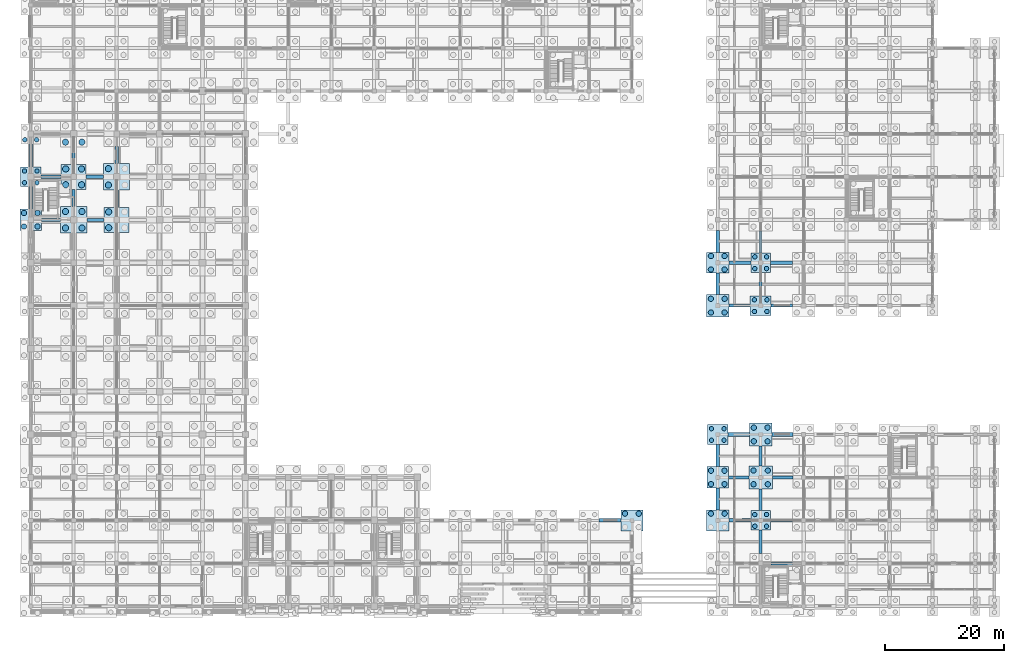
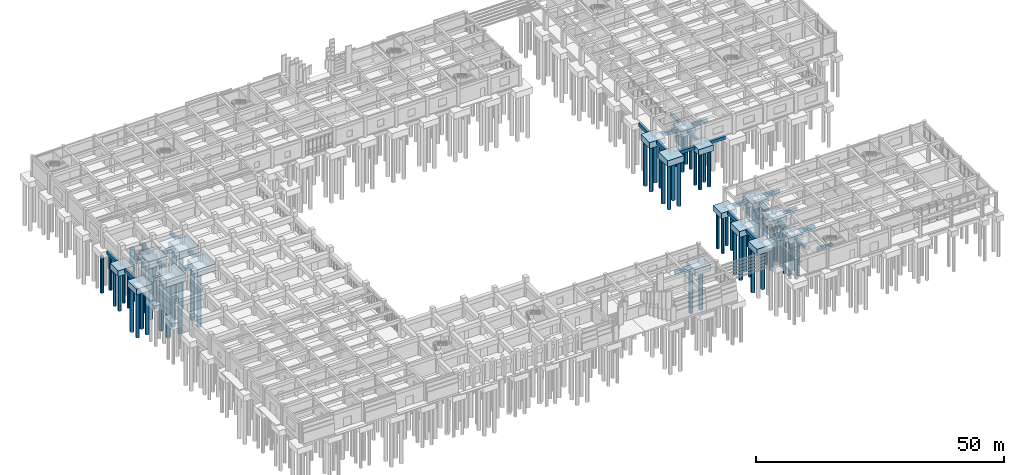
# One storey, part 6 of 79: 64 piles, 48 footings.
"""IFC4 building model written with IfcOpenShell, lengths in metres."""

from ifc_helpers import new_model, si_unit, direction, frame, origin, origin_2d, place, context, subcontext, project, spatial, polyline, rectangle, circle, outline, extrude, material, material_profile, profile_set, type_object, element, save


model = new_model("IFC4")

# Units and contexts
model_context = context("Model", 3, precision=1e-05, world=origin(), true_north=direction((0.0, 1.0)))
body_context = subcontext(model_context, "Body", "Model", "MODEL_VIEW")
ifc_project = project(units=[si_unit("LENGTHUNIT", "METRE"), si_unit("AREAUNIT", "SQUARE_METRE"), si_unit("VOLUMEUNIT", "CUBIC_METRE"), si_unit("PLANEANGLEUNIT", "RADIAN"), si_unit("MASSUNIT", "GRAM", prefix="KILO")], contexts=[model_context])

# Site, building, storey
site_placement = place(None, origin())
site = spatial("IfcSite", under=ifc_project, at=site_placement, CompositionType="ELEMENT")
building_placement = place(site_placement, origin())
building = spatial("IfcBuilding", under=site, at=building_placement, Name="Kavelor Marine Aquarium", CompositionType="ELEMENT")
storey_placement = place(building_placement, origin())
storey = spatial("IfcBuildingStorey", under=building, at=storey_placement, Name="L00", CompositionType="ELEMENT", Elevation=0.0)

# Footings
ifc_material_1 = material(Name="Concrete C40/50", Category="concrete")
footing_type_1 = type_object("IfcFootingType", Name="CAP-PC01", PredefinedType="PILE_CAP", material=ifc_material_1)
footing_1_placement = place(storey_placement, frame((0.0, 0.0, -2.0)))
element("IfcFooting", 1, at=footing_1_placement, inside=storey, type_object=footing_type_1, Name="Pile Cap PC01 (2-J)", PredefinedType="PILE_CAP", context=body_context, shape_type="SweptSolid", body=[
    extrude(outline(polyline([(8.199951171875, 65.39990234375), (12.60009765625, 65.39990234375), (12.60009765625, 69.800048828125), (8.199951171875, 69.800048828125), (8.199951171875, 65.39990234375)])), origin(), (0.0, 0.0, 1.0), 1.64990234375),
])
footing_2_placement = place(storey_placement, frame((0.0, 0.0, -2.0)))
element("IfcFooting", 2, at=footing_2_placement, inside=storey, type_object=footing_type_1, Name="Pile Cap PC01 (3-K)", PredefinedType="PILE_CAP", context=body_context, shape_type="SweptSolid", body=[
    extrude(outline(polyline([(15.39990234375, 72.60009765625), (19.800048828125, 72.60009765625), (19.800048828125, 77.0), (15.39990234375, 77.0), (15.39990234375, 72.60009765625)])), origin(), (0.0, 0.0, 1.0), 1.64990234375),
])
ifc_material_2 = material(Name="Concrete C40/50", Category="concrete")
footing_type_2 = type_object("IfcFootingType", Name="CAP-PC02", PredefinedType="PILE_CAP", material=ifc_material_2)
footing_3_placement = place(storey_placement, frame((0.0, 0.0, -1.949951171875)))
element("IfcFooting", 3, at=footing_3_placement, inside=storey, type_object=footing_type_2, Name="Pile Cap PC02 (2-K)", PredefinedType="PILE_CAP", context=body_context, shape_type="SweptSolid", body=[
    extrude(outline(polyline([(8.300048828125, 72.699951171875), (12.5, 72.699951171875), (12.5, 76.89990234375), (8.300048828125, 76.89990234375), (8.300048828125, 72.699951171875)])), origin(), (0.0, 0.0, 1.0), 1.599853515625),
])
footing_4_placement = place(storey_placement, frame((0.0, 0.0, -1.949951171875)))
element("IfcFooting", 4, at=footing_4_placement, inside=storey, type_object=footing_type_2, Name="Pile Cap PC02 (3-J)", PredefinedType="PILE_CAP", context=body_context, shape_type="SweptSolid", body=[
    extrude(outline(polyline([(15.5, 65.5), (19.699951171875, 65.5), (19.699951171875, 69.699951171875), (15.5, 69.699951171875), (15.5, 65.5)])), origin(), (0.0, 0.0, 1.0), 1.599853515625),
])
ifc_material_3 = material(Name="Concrete C40/50", Category="concrete")
footing_type_3 = type_object("IfcFootingType", Name="CAP-PC03", PredefinedType="PILE_CAP", material=ifc_material_3)
footing_5_placement = place(storey_placement, frame((0.0, 0.0, -1.89990234375)))
element("IfcFooting", 5, at=footing_5_placement, inside=storey, type_object=footing_type_3, Name="Pile Cap PC03 (18-D)", PredefinedType="PILE_CAP", context=body_context, shape_type="SweptSolid", body=[
    extrude(outline(polyline([(123.60009765625, 22.5), (127.60009765625, 22.5), (127.60009765625, 26.300048828125), (123.60009765625, 26.300048828125), (123.60009765625, 22.5)])), origin(), (0.0, 0.0, 1.0), 1.5498046875),
])
ifc_material_4 = material(Name="Concrete C40/50", Category="concrete")
footing_type_4 = type_object("IfcFootingType", Name="CAP-PC04", PredefinedType="PILE_CAP", material=ifc_material_4)
footing_6_placement = place(storey_placement, frame((0.0, 0.0, -1.85009765625)))
element("IfcFooting", 6, at=footing_6_placement, inside=storey, type_object=footing_type_4, Name="Pile Cap PC04 (17-H)", PredefinedType="PILE_CAP", context=body_context, shape_type="SweptSolid", body=[
    extrude(outline(polyline([(116.5, 51.300048828125), (120.300048828125, 51.300048828125), (120.300048828125, 55.10009765625), (116.5, 55.10009765625), (116.5, 51.300048828125)])), origin(), (0.0, 0.0, 1.0), 1.5),
])
footing_7_placement = place(storey_placement, frame((0.0, 0.0, -1.85009765625)))
element("IfcFooting", 7, at=footing_7_placement, inside=storey, type_object=footing_type_4, Name="Pile Cap PC04 (18-E)", PredefinedType="PILE_CAP", context=body_context, shape_type="SweptSolid", body=[
    extrude(outline(polyline([(123.699951171875, 29.699951171875), (127.5, 29.699951171875), (127.5, 33.5), (123.699951171875, 33.5), (123.699951171875, 29.699951171875)])), origin(), (0.0, 0.0, 1.0), 1.5),
])
ifc_material_5 = material(Name="Concrete C40/50", Category="concrete")
footing_type_5 = type_object("IfcFootingType", Name="CAP-PC05", PredefinedType="PILE_CAP", material=ifc_material_5)
footing_8_placement = place(storey_placement, frame((0.0, 0.0, -1.85009765625)))
element("IfcFooting", 8, at=footing_8_placement, inside=storey, type_object=footing_type_5, Name="Pile Cap PC05 (15-C)", PredefinedType="PILE_CAP", context=body_context, shape_type="SweptSolid", body=[
    extrude(outline(polyline([(102.14990234375, 15.449951171875), (105.85009765625, 15.449951171875), (105.85009765625, 18.949951171875), (102.14990234375, 18.949951171875), (102.14990234375, 15.449951171875)])), origin(), (0.0, 0.0, 1.0), 1.5),
])
footing_9_placement = place(storey_placement, frame((0.0, 0.0, -1.85009765625)))
element("IfcFooting", 9, at=footing_9_placement, inside=storey, type_object=footing_type_5, Name="Pile Cap PC05 (17-C)", PredefinedType="PILE_CAP", context=body_context, shape_type="SweptSolid", body=[
    extrude(outline(polyline([(116.550048828125, 15.449951171875), (120.25, 15.449951171875), (120.25, 18.949951171875), (116.550048828125, 18.949951171875), (116.550048828125, 15.449951171875)])), origin(), (0.0, 0.0, 1.0), 1.5),
])
footing_10_placement = place(storey_placement, frame((0.0, 0.0, -1.85009765625)))
element("IfcFooting", 10, at=footing_10_placement, inside=storey, type_object=footing_type_5, Name="Pile Cap PC05 (17-I)", PredefinedType="PILE_CAP", context=body_context, shape_type="SweptSolid", body=[
    extrude(outline(polyline([(116.550048828125, 58.64990234375), (120.25, 58.64990234375), (120.25, 62.14990234375), (116.550048828125, 62.14990234375), (116.550048828125, 58.64990234375)])), origin(), (0.0, 0.0, 1.0), 1.5),
])
ifc_material_6 = material(Name="Concrete C40/50", Category="concrete")
footing_type_6 = type_object("IfcFootingType", Name="CAP-PC06", PredefinedType="PILE_CAP", material=ifc_material_6)
footing_11_placement = place(storey_placement, frame((0.0, 0.0, -1.800048828125)))
element("IfcFooting", 11, at=footing_11_placement, inside=storey, type_object=footing_type_6, Name="Pile Cap PC06 (1-J)", PredefinedType="PILE_CAP", context=body_context, shape_type="SweptSolid", body=[
    extrude(outline(polyline([(1.39990234375, 65.800048828125), (5.0, 65.800048828125), (5.0, 69.39990234375), (1.39990234375, 69.39990234375), (1.39990234375, 65.800048828125)])), origin(), (0.0, 0.0, 1.0), 1.449951171875),
])
footing_12_placement = place(storey_placement, frame((0.0, 0.0, -1.800048828125)))
element("IfcFooting", 12, at=footing_12_placement, inside=storey, type_object=footing_type_6, Name="Pile Cap PC06 (17-D)", PredefinedType="PILE_CAP", context=body_context, shape_type="SweptSolid", body=[
    extrude(outline(polyline([(116.60009765625, 22.60009765625), (120.199951171875, 22.60009765625), (120.199951171875, 26.199951171875), (116.60009765625, 26.199951171875), (116.60009765625, 22.60009765625)])), origin(), (0.0, 0.0, 1.0), 1.449951171875),
])
ifc_material_7 = material(Name="Concrete C40/50", Category="concrete")
footing_type_7 = type_object("IfcFootingType", Name="CAP-PC07", PredefinedType="PILE_CAP", material=ifc_material_7)
footing_13_placement = place(storey_placement, frame((0.0, 0.0, -1.75)))
element("IfcFooting", 13, at=footing_13_placement, inside=storey, type_object=footing_type_7, Name="Pile Cap PC07 (1-K)", PredefinedType="PILE_CAP", context=body_context, shape_type="SweptSolid", body=[
    extrude(outline(polyline([(1.449951171875, 73.14990234375), (4.949951171875, 73.14990234375), (4.949951171875, 76.449951171875), (1.449951171875, 76.449951171875), (1.449951171875, 73.14990234375)])), origin(), (0.0, 0.0, 1.0), 1.39990234375),
])
footing_14_placement = place(storey_placement, frame((0.0, 0.0, -1.75)))
element("IfcFooting", 14, at=footing_14_placement, inside=storey, type_object=footing_type_7, Name="Pile Cap PC07 (17-E)", PredefinedType="PILE_CAP", context=body_context, shape_type="SweptSolid", body=[
    extrude(outline(polyline([(116.64990234375, 29.949951171875), (120.14990234375, 29.949951171875), (120.14990234375, 33.25), (116.64990234375, 33.25), (116.64990234375, 29.949951171875)])), origin(), (0.0, 0.0, 1.0), 1.39990234375),
])
footing_15_placement = place(storey_placement, frame((0.0, 0.0, -1.75)))
element("IfcFooting", 15, at=footing_15_placement, inside=storey, type_object=footing_type_7, Name="Pile Cap PC07 (18-H)", PredefinedType="PILE_CAP", context=body_context, shape_type="SweptSolid", body=[
    extrude(outline(polyline([(123.85009765625, 51.550048828125), (127.35009765625, 51.550048828125), (127.35009765625, 54.85009765625), (123.85009765625, 54.85009765625), (123.85009765625, 51.550048828125)])), origin(), (0.0, 0.0, 1.0), 1.39990234375),
])
ifc_material_8 = material(Name="Concrete C40/50", Category="concrete")
footing_type_8 = type_object("IfcFootingType", Name="CAP-PC08", PredefinedType="PILE_CAP", material=ifc_material_8)
footing_16_placement = place(storey_placement, frame((0.0, 0.0, -1.75)))
element("IfcFooting", 16, at=footing_16_placement, inside=storey, type_object=footing_type_8, Name="Pile Cap PC08 (18-C)", PredefinedType="PILE_CAP", context=body_context, shape_type="SweptSolid", body=[
    extrude(outline(polyline([(123.949951171875, 15.550048828125), (127.25, 15.550048828125), (127.25, 18.85009765625), (123.949951171875, 18.85009765625), (123.949951171875, 15.550048828125)])), origin(), (0.0, 0.0, 1.0), 1.39990234375),
])
footing_17_placement = place(storey_placement, frame((0.0, 0.0, -1.75)))
element("IfcFooting", 17, at=footing_17_placement, inside=storey, type_object=footing_type_8, Name="Pile Cap PC08 (18-I)", PredefinedType="PILE_CAP", context=body_context, shape_type="SweptSolid", body=[
    extrude(outline(polyline([(123.949951171875, 58.75), (127.25, 58.75), (127.25, 62.050048828125), (123.949951171875, 62.050048828125), (123.949951171875, 58.75)])), origin(), (0.0, 0.0, 1.0), 1.39990234375),
])
ifc_material_9 = material(Name="Concrete C40/50", Category="concrete")
ifc_material_profile_1 = material_profile(ifc_material_9, rectangle(XDim=0.60009765625, YDim=0.800048828125, at=origin_2d()), Name="GB 600x800")
ifc_profile_set_1 = profile_set([ifc_material_profile_1], Name="Concrete C40/50")
footing_type_9 = type_object("IfcFootingType", Name="FTB-GB1", PredefinedType="FOOTING_BEAM", material=ifc_profile_set_1)
footing_18_placement = place(storey_placement, frame((3.199951171875, 69.39990234375, -0.75), z_axis=(0.0, 1.0, 0.0), x_axis=(-1.0, 0.0, 0.0)))
element("IfcFooting", 18, at=footing_18_placement, inside=storey, type_object=footing_type_9, Name="ftb:y:00_09", PredefinedType="FOOTING_BEAM", context=body_context, shape_type="SweptSolid", body=[
    extrude(rectangle(XDim=0.60009765625, YDim=0.800048828125, at=origin_2d()), origin(), (0.0, 0.0, 1.0), 3.75),
])
footing_19_placement = place(storey_placement, frame((4.949951171875, 74.800048828125, -0.75), z_axis=(1.0, 0.0, 0.0), x_axis=(0.0, 1.0, 0.0)))
element("IfcFooting", 19, at=footing_19_placement, inside=storey, type_object=footing_type_9, Name="ftb:x:00_10", PredefinedType="FOOTING_BEAM", context=body_context, shape_type="SweptSolid", body=[
    extrude(rectangle(XDim=0.60009765625, YDim=0.800048828125, at=origin_2d()), origin(), (0.0, 0.0, 1.0), 3.35009765625),
])
footing_20_placement = place(storey_placement, frame((3.199951171875, 76.449951171875, -0.75), z_axis=(0.0, 1.0, 0.0), x_axis=(-1.0, 0.0, 0.0)))
element("IfcFooting", 20, at=footing_20_placement, inside=storey, type_object=footing_type_9, Name="ftb:y:00_10", PredefinedType="FOOTING_BEAM", context=body_context, shape_type="SweptSolid", body=[
    extrude(rectangle(XDim=0.60009765625, YDim=0.800048828125, at=origin_2d()), origin(), (0.0, 0.0, 1.0), 3.900146484375),
])
footing_21_placement = place(storey_placement, frame((12.5, 74.800048828125, -0.75), z_axis=(1.0, 0.0, 0.0), x_axis=(0.0, 1.0, 0.0)))
element("IfcFooting", 21, at=footing_21_placement, inside=storey, type_object=footing_type_9, Name="ftb:x:01_10", PredefinedType="FOOTING_BEAM", context=body_context, shape_type="SweptSolid", body=[
    extrude(rectangle(XDim=0.60009765625, YDim=0.800048828125, at=origin_2d()), origin(), (0.0, 0.0, 1.0), 2.89990234375),
])
footing_22_placement = place(storey_placement, frame((17.60009765625, 69.699951171875, -0.75), z_axis=(0.0, 1.0, 0.0), x_axis=(-1.0, 0.0, 0.0)))
element("IfcFooting", 22, at=footing_22_placement, inside=storey, type_object=footing_type_9, Name="ftb:y:02_09", PredefinedType="FOOTING_BEAM", context=body_context, shape_type="SweptSolid", body=[
    extrude(rectangle(XDim=0.60009765625, YDim=0.800048828125, at=origin_2d()), origin(), (0.0, 0.0, 1.0), 2.900146484375),
])
footing_23_placement = place(storey_placement, frame((17.60009765625, 77.0, -0.75), z_axis=(0.0, 1.0, 0.0), x_axis=(-1.0, 0.0, 0.0)))
element("IfcFooting", 23, at=footing_23_placement, inside=storey, type_object=footing_type_9, Name="ftb:y:02_10", PredefinedType="FOOTING_BEAM", context=body_context, shape_type="SweptSolid", body=[
    extrude(rectangle(XDim=0.60009765625, YDim=0.800048828125, at=origin_2d()), origin(), (0.0, 0.0, 1.0), 2.89990234375),
])
for number, where, z_axis, x_axis, name in (
    (24, (98.449951171875, 17.199951171875, -0.75), (1.0, 0.0, 0.0), (0.0, 1.0, 0.0), "ftb:x:13_02"),
    (25, (120.25, 17.199951171875, -0.75), (1.0, 0.0, 0.0), (0.0, 1.0, 0.0), "ftb:x:16_02"),
):
    element("IfcFooting", number, at=place(storey_placement, frame(where, z_axis=z_axis, x_axis=x_axis)), inside=storey, type_object=footing_type_9, Name=name, PredefinedType="FOOTING_BEAM", context=body_context, shape_type="SweptSolid", body=[
        extrude(rectangle(XDim=0.60009765625, YDim=0.800048828125, at=origin_2d()), origin(), (0.0, 0.0, 1.0), 3.699951171875),
    ])
footing_24_placement = place(storey_placement, frame((118.39990234375, 18.949951171875, -0.75), z_axis=(0.0, 1.0, 0.0), x_axis=(-1.0, 0.0, 0.0)))
element("IfcFooting", 26, at=footing_24_placement, inside=storey, type_object=footing_type_9, Name="ftb:y:16_02", PredefinedType="FOOTING_BEAM", context=body_context, shape_type="SweptSolid", body=[
    extrude(rectangle(XDim=0.60009765625, YDim=0.800048828125, at=origin_2d()), origin(), (0.0, 0.0, 1.0), 3.650146484375),
])
footing_25_placement = place(storey_placement, frame((118.39990234375, 26.199951171875, -0.75), z_axis=(0.0, 1.0, 0.0), x_axis=(-1.0, 0.0, 0.0)))
element("IfcFooting", 27, at=footing_25_placement, inside=storey, type_object=footing_type_9, Name="ftb:y:16_03", PredefinedType="FOOTING_BEAM", context=body_context, shape_type="SweptSolid", body=[
    extrude(rectangle(XDim=0.60009765625, YDim=0.800048828125, at=origin_2d()), origin(), (0.0, 0.0, 1.0), 3.75),
])
footing_26_placement = place(storey_placement, frame((120.14990234375, 31.60009765625, -0.75), z_axis=(1.0, 0.0, 0.0), x_axis=(0.0, 1.0, 0.0)))
element("IfcFooting", 28, at=footing_26_placement, inside=storey, type_object=footing_type_9, Name="ftb:x:16_04", PredefinedType="FOOTING_BEAM", context=body_context, shape_type="SweptSolid", body=[
    extrude(rectangle(XDim=0.60009765625, YDim=0.800048828125, at=origin_2d()), origin(), (0.0, 0.0, 1.0), 3.550048828125),
])
footing_27_placement = place(storey_placement, frame((118.39990234375, 55.10009765625, -0.75), z_axis=(0.0, 1.0, 0.0), x_axis=(-1.0, 0.0, 0.0)))
element("IfcFooting", 29, at=footing_27_placement, inside=storey, type_object=footing_type_9, Name="ftb:y:16_07", PredefinedType="FOOTING_BEAM", context=body_context, shape_type="SweptSolid", body=[
    extrude(rectangle(XDim=0.60009765625, YDim=0.800048828125, at=origin_2d()), origin(), (0.0, 0.0, 1.0), 3.5498046875),
])
footing_28_placement = place(storey_placement, frame((120.25, 60.39990234375, -0.75), z_axis=(1.0, 0.0, 0.0), x_axis=(0.0, 1.0, 0.0)))
element("IfcFooting", 30, at=footing_28_placement, inside=storey, type_object=footing_type_9, Name="ftb:x:16_08", PredefinedType="FOOTING_BEAM", context=body_context, shape_type="SweptSolid", body=[
    extrude(rectangle(XDim=0.60009765625, YDim=0.800048828125, at=origin_2d()), origin(), (0.0, 0.0, 1.0), 3.699951171875),
])
footing_29_placement = place(storey_placement, frame((118.39990234375, 62.14990234375, -0.75), z_axis=(0.0, 1.0, 0.0), x_axis=(-1.0, 0.0, 0.0)))
element("IfcFooting", 31, at=footing_29_placement, inside=storey, type_object=footing_type_9, Name="ftb:y:16_08", PredefinedType="FOOTING_BEAM", context=body_context, shape_type="SweptSolid", body=[
    extrude(rectangle(XDim=0.60009765625, YDim=0.800048828125, at=origin_2d()), origin(), (0.0, 0.0, 1.0), 3.650146484375),
])
footing_30_placement = place(storey_placement, frame((127.25, 17.199951171875, -0.75), z_axis=(1.0, 0.0, 0.0), x_axis=(0.0, 1.0, 0.0)))
element("IfcFooting", 32, at=footing_30_placement, inside=storey, type_object=footing_type_9, Name="ftb:x:17_02", PredefinedType="FOOTING_BEAM", context=body_context, shape_type="SweptSolid", body=[
    extrude(rectangle(XDim=0.60009765625, YDim=0.800048828125, at=origin_2d()), origin(), (0.0, 0.0, 1.0), 3.699951171875),
])
footing_31_placement = place(storey_placement, frame((127.5, 31.60009765625, -0.75), z_axis=(1.0, 0.0, 0.0), x_axis=(0.0, 1.0, 0.0)))
element("IfcFooting", 33, at=footing_31_placement, inside=storey, type_object=footing_type_9, Name="ftb:x:17_04", PredefinedType="FOOTING_BEAM", context=body_context, shape_type="SweptSolid", body=[
    extrude(rectangle(XDim=0.60009765625, YDim=0.800048828125, at=origin_2d()), origin(), (0.0, 0.0, 1.0), 3.550048828125),
])
footing_32_placement = place(storey_placement, frame((127.25, 60.39990234375, -0.75), z_axis=(1.0, 0.0, 0.0), x_axis=(0.0, 1.0, 0.0)))
element("IfcFooting", 34, at=footing_32_placement, inside=storey, type_object=footing_type_9, Name="ftb:x:17_08", PredefinedType="FOOTING_BEAM", context=body_context, shape_type="SweptSolid", body=[
    extrude(rectangle(XDim=0.60009765625, YDim=0.800048828125, at=origin_2d()), origin(), (0.0, 0.0, 1.0), 3.699951171875),
])
ifc_material_10 = material(Name="Concrete C40/50", Category="concrete")
ifc_material_profile_2 = material_profile(ifc_material_10, rectangle(XDim=0.5, YDim=0.699951171875, at=origin_2d()), Name="GB 500x700")
ifc_profile_set_2 = profile_set([ifc_material_profile_2], Name="Concrete C40/50")
footing_type_10 = type_object("IfcFootingType", Name="FTB-GB2", PredefinedType="FOOTING_BEAM", material=ifc_profile_set_2)
footing_33_placement = place(storey_placement, frame((5.0, 67.60009765625, -0.699951171875), z_axis=(1.0, 0.0, 0.0), x_axis=(0.0, 1.0, 0.0)))
element("IfcFooting", 35, at=footing_33_placement, inside=storey, type_object=footing_type_10, Name="ftb:x:00_09", PredefinedType="FOOTING_BEAM", context=body_context, shape_type="SweptSolid", body=[
    extrude(rectangle(XDim=0.5, YDim=0.699951171875, at=origin_2d()), origin(), (0.0, 0.0, 1.0), 3.199951171875),
])
for number, where, z_axis, x_axis, name in (
    (36, (12.60009765625, 67.60009765625, -0.699951171875), (1.0, 0.0, 0.0), (0.0, 1.0, 0.0), "ftb:x:01_09"),
    (37, (10.39990234375, 69.800048828125, -0.699951171875), (0.0, 1.0, 0.0), (-1.0, 0.0, 0.0), "ftb:y:01_09"),
):
    element("IfcFooting", number, at=place(storey_placement, frame(where, z_axis=z_axis, x_axis=x_axis)), inside=storey, type_object=footing_type_10, Name=name, PredefinedType="FOOTING_BEAM", context=body_context, shape_type="SweptSolid", body=[
        extrude(rectangle(XDim=0.5, YDim=0.699951171875, at=origin_2d()), origin(), (0.0, 0.0, 1.0), 2.89990234375),
    ])
footing_34_placement = place(storey_placement, frame((10.39990234375, 76.89990234375, -0.699951171875), z_axis=(0.0, 1.0, 0.0), x_axis=(-1.0, 0.0, 0.0)))
element("IfcFooting", 38, at=footing_34_placement, inside=storey, type_object=footing_type_10, Name="ftb:y:01_10", PredefinedType="FOOTING_BEAM", context=body_context, shape_type="SweptSolid", body=[
    extrude(rectangle(XDim=0.5, YDim=0.699951171875, at=origin_2d()), origin(), (0.0, 0.0, 1.0), 2.900146484375),
])
footing_35_placement = place(storey_placement, frame((120.199951171875, 24.39990234375, -0.699951171875), z_axis=(1.0, 0.0, 0.0), x_axis=(0.0, 1.0, 0.0)))
element("IfcFooting", 39, at=footing_35_placement, inside=storey, type_object=footing_type_10, Name="ftb:x:16_03", PredefinedType="FOOTING_BEAM", context=body_context, shape_type="SweptSolid", body=[
    extrude(rectangle(XDim=0.5, YDim=0.699951171875, at=origin_2d()), origin(), (0.0, 0.0, 1.0), 3.400146484375),
])
footing_36_placement = place(storey_placement, frame((120.300048828125, 53.199951171875, -0.699951171875), z_axis=(1.0, 0.0, 0.0), x_axis=(0.0, 1.0, 0.0)))
element("IfcFooting", 40, at=footing_36_placement, inside=storey, type_object=footing_type_10, Name="ftb:x:16_07", PredefinedType="FOOTING_BEAM", context=body_context, shape_type="SweptSolid", body=[
    extrude(rectangle(XDim=0.5, YDim=0.699951171875, at=origin_2d()), origin(), (0.0, 0.0, 1.0), 3.550048828125),
])
footing_37_placement = place(storey_placement, frame((127.35009765625, 10.0, -0.699951171875), z_axis=(1.0, 0.0, 0.0), x_axis=(0.0, 1.0, 0.0)))
element("IfcFooting", 41, at=footing_37_placement, inside=storey, type_object=footing_type_10, Name="ftb:x:17_01", PredefinedType="FOOTING_BEAM", context=body_context, shape_type="SweptSolid", body=[
    extrude(rectangle(XDim=0.5, YDim=0.699951171875, at=origin_2d()), origin(), (0.0, 0.0, 1.0), 3.5498046875),
])
footing_38_placement = place(storey_placement, frame((125.60009765625, 11.64990234375, -0.699951171875), z_axis=(0.0, 1.0, 0.0), x_axis=(-1.0, 0.0, 0.0)))
element("IfcFooting", 42, at=footing_38_placement, inside=storey, type_object=footing_type_10, Name="ftb:y:17_01", PredefinedType="FOOTING_BEAM", context=body_context, shape_type="SweptSolid", body=[
    extrude(rectangle(XDim=0.5, YDim=0.699951171875, at=origin_2d()), origin(), (0.0, 0.0, 1.0), 3.900146484375),
])
footing_39_placement = place(storey_placement, frame((125.60009765625, 18.85009765625, -0.699951171875), z_axis=(0.0, 1.0, 0.0), x_axis=(-1.0, 0.0, 0.0)))
element("IfcFooting", 43, at=footing_39_placement, inside=storey, type_object=footing_type_10, Name="ftb:y:17_02", PredefinedType="FOOTING_BEAM", context=body_context, shape_type="SweptSolid", body=[
    extrude(rectangle(XDim=0.5, YDim=0.699951171875, at=origin_2d()), origin(), (0.0, 0.0, 1.0), 3.64990234375),
])
for number, where, z_axis, x_axis, name in (
    (44, (127.60009765625, 24.39990234375, -0.699951171875), (1.0, 0.0, 0.0), (0.0, 1.0, 0.0), "ftb:x:17_03"),
    (45, (125.60009765625, 26.300048828125, -0.699951171875), (0.0, 1.0, 0.0), (-1.0, 0.0, 0.0), "ftb:y:17_03"),
):
    element("IfcFooting", number, at=place(storey_placement, frame(where, z_axis=z_axis, x_axis=x_axis)), inside=storey, type_object=footing_type_10, Name=name, PredefinedType="FOOTING_BEAM", context=body_context, shape_type="SweptSolid", body=[
        extrude(rectangle(XDim=0.5, YDim=0.699951171875, at=origin_2d()), origin(), (0.0, 0.0, 1.0), 3.39990234375),
    ])
footing_40_placement = place(storey_placement, frame((127.35009765625, 53.199951171875, -0.699951171875), z_axis=(1.0, 0.0, 0.0), x_axis=(0.0, 1.0, 0.0)))
element("IfcFooting", 46, at=footing_40_placement, inside=storey, type_object=footing_type_10, Name="ftb:x:17_07", PredefinedType="FOOTING_BEAM", context=body_context, shape_type="SweptSolid", body=[
    extrude(rectangle(XDim=0.5, YDim=0.699951171875, at=origin_2d()), origin(), (0.0, 0.0, 1.0), 3.5498046875),
])
footing_41_placement = place(storey_placement, frame((125.60009765625, 54.85009765625, -0.699951171875), z_axis=(0.0, 1.0, 0.0), x_axis=(-1.0, 0.0, 0.0)))
element("IfcFooting", 47, at=footing_41_placement, inside=storey, type_object=footing_type_10, Name="ftb:y:17_07", PredefinedType="FOOTING_BEAM", context=body_context, shape_type="SweptSolid", body=[
    extrude(rectangle(XDim=0.5, YDim=0.699951171875, at=origin_2d()), origin(), (0.0, 0.0, 1.0), 3.89990234375),
])
footing_42_placement = place(storey_placement, frame((125.60009765625, 62.050048828125, -0.699951171875), z_axis=(0.0, 1.0, 0.0), x_axis=(-1.0, 0.0, 0.0)))
element("IfcFooting", 48, at=footing_42_placement, inside=storey, type_object=footing_type_10, Name="ftb:y:17_08", PredefinedType="FOOTING_BEAM", context=body_context, shape_type="SweptSolid", body=[
    extrude(rectangle(XDim=0.5, YDim=0.699951171875, at=origin_2d()), origin(), (0.0, 0.0, 1.0), 3.64990234375),
])

# Piles
ifc_material_11 = material(Name="Concrete C40/50", Category="concrete")
ifc_material_profile_3 = material_profile(ifc_material_11, circle(Radius=0.52490234375, at=origin_2d()), Name="PILE D1050")
ifc_profile_set_3 = profile_set([ifc_material_profile_3], Name="Concrete C40/50")
pile_type_1 = type_object("IfcPileType", Name="PILE-P1", PredefinedType="BORED", material=ifc_profile_set_3)
for number, where, z_axis, x_axis, name in (
    (49, (9.02001953125, 66.219970703125, -1.89990234375), (0.0, 0.0, -1.0), (1.0, 0.0, 0.0), "Bored Pile P1 (2-J-1)"),
    (50, (11.780029296875, 66.219970703125, -1.89990234375), (0.0, 0.0, -1.0), (1.0, 0.0, 0.0), "Bored Pile P1 (2-J-2)"),
    (51, (9.02001953125, 68.97998046875, -1.89990234375), (0.0, 0.0, -1.0), (1.0, 0.0, 0.0), "Bored Pile P1 (2-J-3)"),
    (52, (11.780029296875, 68.97998046875, -1.89990234375), (0.0, 0.0, -1.0), (1.0, 0.0, 0.0), "Bored Pile P1 (2-J-4)"),
    (53, (9.070068359375, 73.469970703125, -1.85009765625), (0.0, 0.0, -1.0), (1.0, 0.0, 0.0), "Bored Pile P1 (2-K-1)"),
    (54, (11.72998046875, 73.469970703125, -1.85009765625), (0.0, 0.0, -1.0), (1.0, 0.0, 0.0), "Bored Pile P1 (2-K-2)"),
    (55, (9.070068359375, 76.1298828125, -1.85009765625), (0.0, 0.0, -1.0), (1.0, 0.0, 0.0), "Bored Pile P1 (2-K-3)"),
    (56, (11.72998046875, 76.1298828125, -1.85009765625), (0.0, 0.0, -1.0), (1.0, 0.0, 0.0), "Bored Pile P1 (2-K-4)"),
    (57, (9.02001953125, 80.6201171875, -1.89990234375), (0.0, 0.0, -1.0), (1.0, 0.0, 0.0), "Bored Pile P1 (2-L-1)"),
    (58, (11.780029296875, 80.6201171875, -1.89990234375), (0.0, 0.0, -1.0), (1.0, 0.0, 0.0), "Bored Pile P1 (2-L-2)"),
    (59, (16.27001953125, 66.27001953125, -1.85009765625), (0.0, 0.0, -1.0), (1.0, 0.0, 0.0), "Bored Pile P1 (3-J-1)"),
    (60, (16.27001953125, 68.929931640625, -1.85009765625), (0.0, 0.0, -1.0), (1.0, 0.0, 0.0), "Bored Pile P1 (3-J-3)"),
    (61, (16.219970703125, 73.419921875, -1.89990234375), (0.0, 0.0, -1.0), (1.0, 0.0, 0.0), "Bored Pile P1 (3-K-1)"),
    (62, (16.219970703125, 76.179931640625, -1.89990234375), (0.0, 0.0, -1.0), (1.0, 0.0, 0.0), "Bored Pile P1 (3-K-3)"),
):
    element("IfcPile", number, at=place(storey_placement, frame(where, z_axis=z_axis, x_axis=x_axis)), inside=storey, type_object=pile_type_1, Name=name, PredefinedType="BORED", context=body_context, shape_type="SweptSolid", body=[
        extrude(circle(Radius=0.52490234375, at=origin_2d()), origin(), (0.0, 0.0, 1.0), 13.0),
    ])
ifc_material_12 = material(Name="Concrete C40/50", Category="concrete")
ifc_material_profile_4 = material_profile(ifc_material_12, circle(Radius=0.449951171875, at=origin_2d()), Name="PILE D900")
ifc_profile_set_4 = profile_set([ifc_material_profile_4], Name="Concrete C40/50")
pile_type_2 = type_object("IfcPileType", Name="PILE-P2", PredefinedType="BORED", material=ifc_profile_set_4)
for number, where, z_axis, x_axis, name in (
    (63, (2.070068359375, 66.469970703125, -1.699951171875), (0.0, 0.0, -1.0), (1.0, 0.0, 0.0), "Bored Pile P2 (1-J-1)"),
    (64, (4.330078125, 66.469970703125, -1.699951171875), (0.0, 0.0, -1.0), (1.0, 0.0, 0.0), "Bored Pile P2 (1-J-2)"),
    (65, (2.070068359375, 68.72998046875, -1.699951171875), (0.0, 0.0, -1.0), (1.0, 0.0, 0.0), "Bored Pile P2 (1-J-3)"),
    (66, (4.330078125, 68.72998046875, -1.699951171875), (0.0, 0.0, -1.0), (1.0, 0.0, 0.0), "Bored Pile P2 (1-J-4)"),
    (67, (102.85009765625, 18.330078125, -1.75), (0.0, 0.0, -1.0), (1.0, 0.0, 0.0), "Bored Pile P2 (15-C-3)"),
    (68, (105.14990234375, 18.330078125, -1.75), (0.0, 0.0, -1.0), (1.0, 0.0, 0.0), "Bored Pile P2 (15-C-4)"),
    (69, (117.25, 18.330078125, -1.75), (0.0, 0.0, -1.0), (1.0, 0.0, 0.0), "Bored Pile P2 (17-C-3)"),
    (70, (119.550048828125, 18.330078125, -1.75), (0.0, 0.0, -1.0), (1.0, 0.0, 0.0), "Bored Pile P2 (17-C-4)"),
    (71, (117.27001953125, 23.27001953125, -1.699951171875), (0.0, 0.0, -1.0), (1.0, 0.0, 0.0), "Bored Pile P2 (17-D-1)"),
    (72, (119.530029296875, 23.27001953125, -1.699951171875), (0.0, 0.0, -1.0), (1.0, 0.0, 0.0), "Bored Pile P2 (17-D-2)"),
    (73, (117.27001953125, 25.530029296875, -1.699951171875), (0.0, 0.0, -1.0), (1.0, 0.0, 0.0), "Bored Pile P2 (17-D-3)"),
    (74, (119.530029296875, 25.530029296875, -1.699951171875), (0.0, 0.0, -1.0), (1.0, 0.0, 0.0), "Bored Pile P2 (17-D-4)"),
    (75, (117.25, 52.050048828125, -1.75), (0.0, 0.0, -1.0), (1.0, 0.0, 0.0), "Bored Pile P2 (17-H-1)"),
    (76, (119.550048828125, 52.050048828125, -1.75), (0.0, 0.0, -1.0), (1.0, 0.0, 0.0), "Bored Pile P2 (17-H-2)"),
    (77, (117.25, 54.35009765625, -1.75), (0.0, 0.0, -1.0), (1.0, 0.0, 0.0), "Bored Pile P2 (17-H-3)"),
    (78, (119.550048828125, 54.35009765625, -1.75), (0.0, 0.0, -1.0), (1.0, 0.0, 0.0), "Bored Pile P2 (17-H-4)"),
    (79, (117.25, 59.27001953125, -1.75), (0.0, 0.0, -1.0), (1.0, 0.0, 0.0), "Bored Pile P2 (17-I-1)"),
    (80, (119.550048828125, 59.27001953125, -1.75), (0.0, 0.0, -1.0), (1.0, 0.0, 0.0), "Bored Pile P2 (17-I-2)"),
    (81, (117.25, 61.530029296875, -1.75), (0.0, 0.0, -1.0), (1.0, 0.0, 0.0), "Bored Pile P2 (17-I-3)"),
    (82, (119.550048828125, 61.530029296875, -1.75), (0.0, 0.0, -1.0), (1.0, 0.0, 0.0), "Bored Pile P2 (17-I-4)"),
    (83, (124.39990234375, 23.25, -1.800048828125), (0.0, 0.0, -1.0), (1.0, 0.0, 0.0), "Bored Pile P2 (18-D-1)"),
    (84, (126.800048828125, 23.25, -1.800048828125), (0.0, 0.0, -1.0), (1.0, 0.0, 0.0), "Bored Pile P2 (18-D-2)"),
    (85, (124.39990234375, 25.550048828125, -1.800048828125), (0.0, 0.0, -1.0), (1.0, 0.0, 0.0), "Bored Pile P2 (18-D-3)"),
    (86, (126.800048828125, 25.550048828125, -1.800048828125), (0.0, 0.0, -1.0), (1.0, 0.0, 0.0), "Bored Pile P2 (18-D-4)"),
    (87, (124.449951171875, 30.449951171875, -1.75), (0.0, 0.0, -1.0), (1.0, 0.0, 0.0), "Bored Pile P2 (18-E-1)"),
    (88, (126.75, 30.449951171875, -1.75), (0.0, 0.0, -1.0), (1.0, 0.0, 0.0), "Bored Pile P2 (18-E-2)"),
    (89, (124.449951171875, 32.75, -1.75), (0.0, 0.0, -1.0), (1.0, 0.0, 0.0), "Bored Pile P2 (18-E-3)"),
    (90, (126.75, 32.75, -1.75), (0.0, 0.0, -1.0), (1.0, 0.0, 0.0), "Bored Pile P2 (18-E-4)"),
):
    element("IfcPile", number, at=place(storey_placement, frame(where, z_axis=z_axis, x_axis=x_axis)), inside=storey, type_object=pile_type_2, Name=name, PredefinedType="BORED", context=body_context, shape_type="SweptSolid", body=[
        extrude(circle(Radius=0.449951171875, at=origin_2d()), origin(), (0.0, 0.0, 1.0), 11.0),
    ])
ifc_material_13 = material(Name="Concrete C40/50", Category="concrete")
ifc_material_profile_5 = material_profile(ifc_material_13, circle(Radius=0.375, at=origin_2d()), Name="PILE D750")
ifc_profile_set_5 = profile_set([ifc_material_profile_5], Name="Concrete C40/50")
pile_type_3 = type_object("IfcPileType", Name="PILE-P3", PredefinedType="BORED", material=ifc_profile_set_5)
for number, where, z_axis, x_axis, name in (
    (91, (2.14990234375, 73.820068359375, -1.64990234375), (0.0, 0.0, -1.0), (1.0, 0.0, 0.0), "Bored Pile P3 (1-K-1)"),
    (92, (4.25, 73.820068359375, -1.64990234375), (0.0, 0.0, -1.0), (1.0, 0.0, 0.0), "Bored Pile P3 (1-K-2)"),
    (93, (2.14990234375, 75.780029296875, -1.64990234375), (0.0, 0.0, -1.0), (1.0, 0.0, 0.0), "Bored Pile P3 (1-K-3)"),
    (94, (4.25, 75.780029296875, -1.64990234375), (0.0, 0.0, -1.0), (1.0, 0.0, 0.0), "Bored Pile P3 (1-K-4)"),
    (95, (2.219970703125, 81.02001953125, -1.64990234375), (0.0, 0.0, -1.0), (1.0, 0.0, 0.0), "Bored Pile P3 (1-L-1)"),
    (96, (4.179931640625, 81.02001953125, -1.64990234375), (0.0, 0.0, -1.0), (1.0, 0.0, 0.0), "Bored Pile P3 (1-L-2)"),
    (97, (117.35009765625, 30.6201171875, -1.64990234375), (0.0, 0.0, -1.0), (1.0, 0.0, 0.0), "Bored Pile P3 (17-E-1)"),
    (98, (119.449951171875, 30.6201171875, -1.64990234375), (0.0, 0.0, -1.0), (1.0, 0.0, 0.0), "Bored Pile P3 (17-E-2)"),
    (99, (117.35009765625, 32.580078125, -1.64990234375), (0.0, 0.0, -1.0), (1.0, 0.0, 0.0), "Bored Pile P3 (17-E-3)"),
    (100, (119.449951171875, 32.580078125, -1.64990234375), (0.0, 0.0, -1.0), (1.0, 0.0, 0.0), "Bored Pile P3 (17-E-4)"),
    (101, (124.6201171875, 16.219970703125, -1.64990234375), (0.0, 0.0, -1.0), (1.0, 0.0, 0.0), "Bored Pile P3 (18-C-1)"),
    (102, (126.580078125, 16.219970703125, -1.64990234375), (0.0, 0.0, -1.0), (1.0, 0.0, 0.0), "Bored Pile P3 (18-C-2)"),
    (103, (124.6201171875, 18.179931640625, -1.64990234375), (0.0, 0.0, -1.0), (1.0, 0.0, 0.0), "Bored Pile P3 (18-C-3)"),
    (104, (126.580078125, 18.179931640625, -1.64990234375), (0.0, 0.0, -1.0), (1.0, 0.0, 0.0), "Bored Pile P3 (18-C-4)"),
    (105, (124.550048828125, 52.219970703125, -1.64990234375), (0.0, 0.0, -1.0), (1.0, 0.0, 0.0), "Bored Pile P3 (18-H-1)"),
    (106, (126.64990234375, 52.219970703125, -1.64990234375), (0.0, 0.0, -1.0), (1.0, 0.0, 0.0), "Bored Pile P3 (18-H-2)"),
    (107, (124.550048828125, 54.179931640625, -1.64990234375), (0.0, 0.0, -1.0), (1.0, 0.0, 0.0), "Bored Pile P3 (18-H-3)"),
    (108, (126.64990234375, 54.179931640625, -1.64990234375), (0.0, 0.0, -1.0), (1.0, 0.0, 0.0), "Bored Pile P3 (18-H-4)"),
    (109, (124.6201171875, 59.419921875, -1.64990234375), (0.0, 0.0, -1.0), (1.0, 0.0, 0.0), "Bored Pile P3 (18-I-1)"),
    (110, (126.580078125, 59.419921875, -1.64990234375), (0.0, 0.0, -1.0), (1.0, 0.0, 0.0), "Bored Pile P3 (18-I-2)"),
    (111, (124.6201171875, 61.3798828125, -1.64990234375), (0.0, 0.0, -1.0), (1.0, 0.0, 0.0), "Bored Pile P3 (18-I-3)"),
    (112, (126.580078125, 61.3798828125, -1.64990234375), (0.0, 0.0, -1.0), (1.0, 0.0, 0.0), "Bored Pile P3 (18-I-4)"),
):
    element("IfcPile", number, at=place(storey_placement, frame(where, z_axis=z_axis, x_axis=x_axis)), inside=storey, type_object=pile_type_3, Name=name, PredefinedType="BORED", context=body_context, shape_type="SweptSolid", body=[
        extrude(circle(Radius=0.375, at=origin_2d()), origin(), (0.0, 0.0, 1.0), 9.0),
    ])

save(model, "model.ifc")
